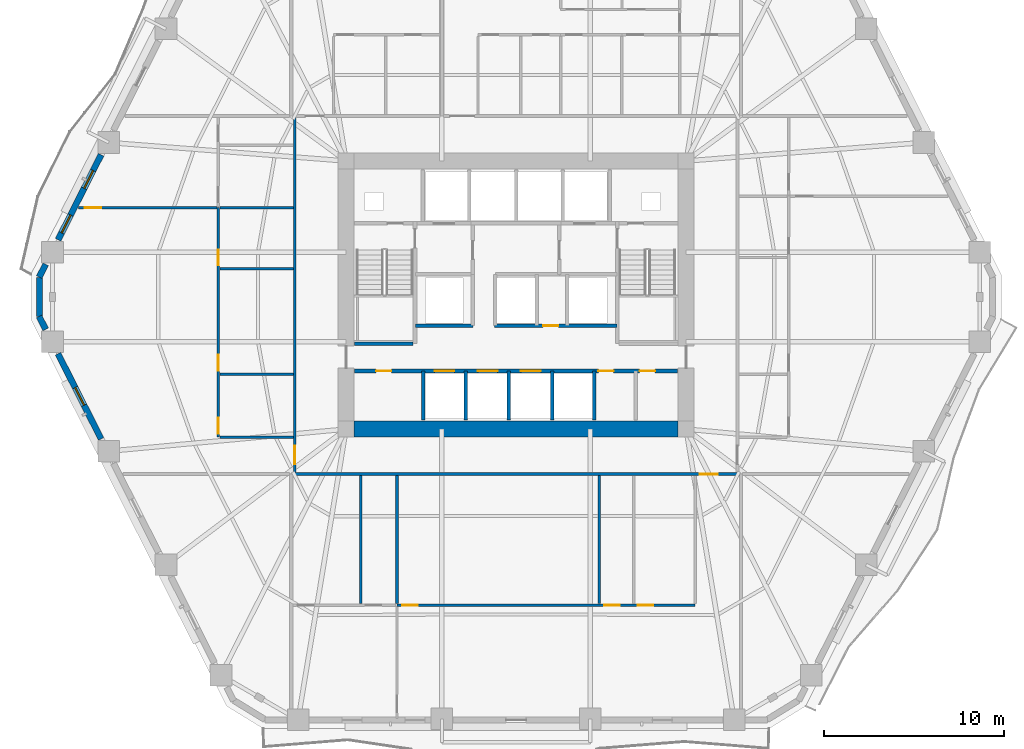
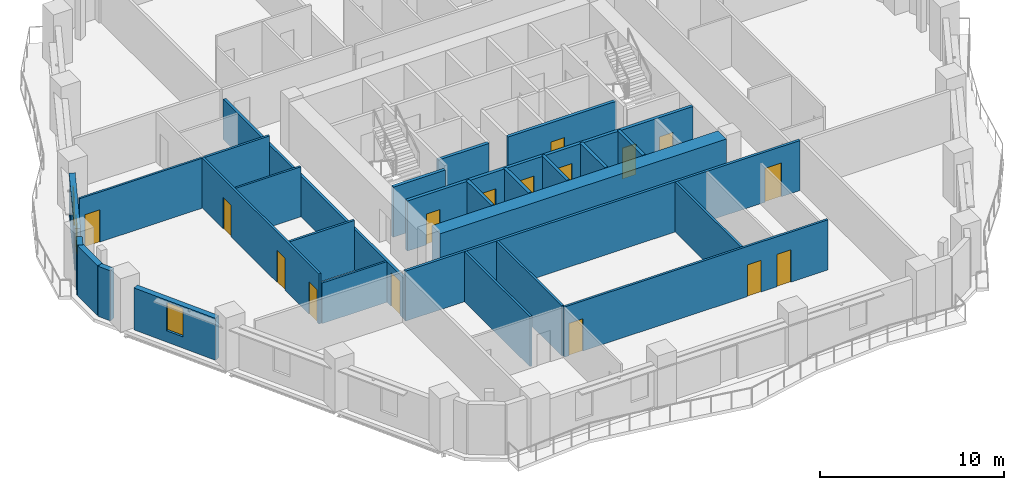
# One storey, part 4 of 13: 27 walls, 16 doors, 3 windows, 19 openings.
"""IFC4 building model written with IfcOpenShell, lengths in metres."""

from ifc_helpers import new_model, si_unit, direction, frame, frame_2d, origin, place, context, subcontext, project, spatial, rectangle, extrude, material, layer, layer_set, type_object, element, fill, save


model = new_model("IFC4")

# Units and contexts
model_context = context("Model", 3, precision=1e-05, world=origin(), true_north=direction((0.0, 1.0)))
body_context = subcontext(model_context, "Body", "Model", "MODEL_VIEW")
ifc_project = project(units=[si_unit("LENGTHUNIT", "METRE"), si_unit("AREAUNIT", "SQUARE_METRE"), si_unit("VOLUMEUNIT", "CUBIC_METRE"), si_unit("PLANEANGLEUNIT", "RADIAN"), si_unit("MASSUNIT", "GRAM", prefix="KILO")], contexts=[model_context])

# Site, building, storey
site_placement = place(None, origin())
site = spatial("IfcSite", under=ifc_project, at=site_placement, CompositionType="ELEMENT")
building_placement = place(site_placement, origin())
building = spatial("IfcBuilding", under=site, at=building_placement, Name="Cinnabar Lancet Tower", CompositionType="ELEMENT")
storey_placement = place(building_placement, frame((0.0, 0.0, 49.75)))
storey = spatial("IfcBuildingStorey", under=building, at=storey_placement, Name="L12", CompositionType="ELEMENT", Elevation=49.75)

# Wall, opening, door
ifc_material_1 = material(Name="Acoustic twin-stud gypsum partition", Category="gypsum")
ifc_layer_1 = layer(ifc_material_1, 0.159912109375)
ifc_layer_set_1 = layer_set([ifc_layer_1], Name="Acoustic twin-stud gypsum partition")
wall_type_1 = type_object("IfcWallType", Name="ARC-WL-CORR-160", PredefinedType="PARTITIONING", material=ifc_layer_set_1)
wall_1_placement = place(storey_placement, frame((19.9951171875, 15.949951171875, 0.0), z_axis=(0.0, 0.0, 1.0), x_axis=(1.0, 0.0, 0.0)))
wall_1 = element("IfcWall", 1, at=wall_1_placement, inside=storey, type_object=wall_type_1, Name="L12 Unit S01 Corridor Wall", PredefinedType="PARTITIONING", context=body_context, shape_type="SweptSolid", body=[
    extrude(rectangle(XDim=24.809814453125, YDim=0.159912109375, at=frame_2d((12.40478515625, 0.0))), origin(), (0.0, 0.0, 1.0), 3.330078125),
])
opening_1_placement = place(wall_1_placement, frame((22.60498046875, 0.0, 0.0)))
opening_1 = element("IfcOpeningElement", 2, at=opening_1_placement, cuts=wall_1, Name="Opening UD-01", PredefinedType="OPENING", context=body_context, shape_type="SweptSolid", body=[
    extrude(rectangle(XDim=1.02001953125, YDim=2.25, at=frame_2d((0.510009765625, 1.125))), frame((0.0, 0.08984375, 0.0), z_axis=(0.0, -1.0, 0.0), x_axis=(1.0, 0.0, 0.0)), (0.0, 0.0, 1.0), 0.179931640625),
])
ifc_material_2 = material(Name="Solid timber fire-rated apartment entrance door", Category="wood")
door_type_1 = type_object("IfcDoorType", Name="ARC-DR-UNIT", OperationType="NOTDEFINED", PredefinedType="DOOR", material=ifc_material_2)
door_1_placement = place(opening_1_placement, origin())
door_1 = element("IfcDoor", 3, at=door_1_placement, inside=storey, type_object=door_type_1, Name="DR-L12-S01-ENT", OperationType="SINGLE_SWING_RIGHT", OverallHeight=2.25, OverallWidth=1.02001953125, PredefinedType="DOOR", context=body_context, shape_type="SweptSolid", body=[
    extrude(rectangle(XDim=1.02001953125, YDim=2.25, at=frame_2d((0.510009765625, 1.125))), frame((0.0, 0.02490234375, 0.0), z_axis=(0.0, -1.0, 0.0), x_axis=(1.0, 0.0, 0.0)), (0.0, 0.0, 1.0), 0.050048828125),
])
fill(opening_1, door_1)

wall_2_placement = place(storey_placement, frame((20.10009765625, 16.044921875, 0.0), z_axis=(0.0, 0.0, 1.0), x_axis=(0.0, 1.0, 0.0)))
wall_2 = element("IfcWall", 4, at=wall_2_placement, inside=storey, type_object=wall_type_1, Name="UW-L12-W01-COR", PredefinedType="PARTITIONING", context=body_context, shape_type="SweptSolid", body=[
    extrude(rectangle(XDim=19.7099609375, YDim=0.159912109375, at=frame_2d((9.85498046875, 0.0))), origin(), (0.0, 0.0, 1.0), 2.699951171875),
])
opening_2_placement = place(wall_2_placement, frame((0.449951171875, 0.0, 0.0)))
opening_2 = element("IfcOpeningElement", 5, at=opening_2_placement, cuts=wall_2, Name="Opening UD-01", PredefinedType="OPENING", context=body_context, shape_type="SweptSolid", body=[
    extrude(rectangle(XDim=1.02001953125, YDim=2.25, at=frame_2d((0.510009765625, 1.125))), frame((0.0, 0.08984375, 0.0), z_axis=(0.0, -1.0, 0.0), x_axis=(1.0, 0.0, 0.0)), (0.0, 0.0, 1.0), 0.179931640625),
])
door_2_placement = place(opening_2_placement, origin())
door_2 = element("IfcDoor", 6, at=door_2_placement, inside=storey, type_object=door_type_1, Name="DR-L12-W01-ENT", OperationType="SINGLE_SWING_RIGHT", OverallHeight=2.25, OverallWidth=1.02001953125, PredefinedType="DOOR", context=body_context, shape_type="SweptSolid", body=[
    extrude(rectangle(XDim=1.02001953125, YDim=2.25, at=frame_2d((0.510009765625, 1.125))), frame((0.0, 0.02490234375, 0.0), z_axis=(0.0, -1.0, 0.0), x_axis=(1.0, 0.0, 0.0)), (0.0, 0.0, 1.0), 0.050048828125),
])
fill(opening_2, door_2)

# Walls
ifc_material_3 = material(Name="Autoclaved aerated concrete blockwork", Category="masonry")
ifc_layer_2 = layer(ifc_material_3, 0.199951171875)
ifc_layer_set_2 = layer_set([ifc_layer_2], Name="Autoclaved aerated concrete blockwork")
wall_type_2 = type_object("IfcWallType", Name="ARC-WL-SHAFT-200", PredefinedType="PLUMBINGWALL", material=ifc_layer_set_2)
wall_3_placement = place(storey_placement, frame((23.405029296875, 23.199951171875, 0.0), z_axis=(0.0, 0.0, 1.0), x_axis=(1.0, 0.0, 0.0)))
element("IfcWall", 7, at=wall_3_placement, inside=storey, type_object=wall_type_2, Name="CW-ST1S-L12", PredefinedType="PLUMBINGWALL", context=body_context, shape_type="SweptSolid", body=[
    extrude(rectangle(XDim=3.27001953125, YDim=0.199951171875, at=frame_2d((1.635009765625, 0.0))), origin(), (0.0, 0.0, 1.0), 3.330078125),
])
wall_4_placement = place(storey_placement, frame((26.800048828125, 24.199951171875, 0.0), z_axis=(0.0, 0.0, 1.0), x_axis=(1.0, 0.0, 0.0)))
element("IfcWall", 8, at=wall_4_placement, inside=storey, type_object=wall_type_2, Name="CW-PL5S-L12", PredefinedType="PLUMBINGWALL", context=body_context, shape_type="SweptSolid", body=[
    extrude(rectangle(XDim=3.199951171875, YDim=0.199951171875, at=frame_2d((1.60009765625, 0.0))), origin(), (0.0, 0.0, 1.0), 3.330078125),
])

# Wall, opening, door
wall_5_placement = place(storey_placement, frame((31.199951171875, 24.199951171875, 0.0), z_axis=(0.0, 0.0, 1.0), x_axis=(1.0, 0.0, 0.0)))
wall_5 = element("IfcWall", 9, at=wall_5_placement, inside=storey, type_object=wall_type_2, Name="CW-PL96S-L12", PredefinedType="PLUMBINGWALL", context=body_context, shape_type="SweptSolid", body=[
    extrude(rectangle(XDim=6.800048828125, YDim=0.199951171875, at=frame_2d((3.39990234375, 0.0))), origin(), (0.0, 0.0, 1.0), 3.330078125),
])
opening_3_placement = place(wall_5_placement, frame((2.699951171875, 0.0, 0.0)))
opening_3 = element("IfcOpeningElement", 10, at=opening_3_placement, cuts=wall_5, Name="Opening PD-02", PredefinedType="OPENING", context=body_context, shape_type="SweptSolid", body=[
    extrude(rectangle(XDim=0.85009765625, YDim=2.050048828125, at=frame_2d((0.425048828125, 1.02490234375))), frame((0.0, 0.10986328125, 0.0), z_axis=(0.0, -1.0, 0.0), x_axis=(1.0, 0.0, 0.0)), (0.0, 0.0, 1.0), 0.219970703125),
])
ifc_material_4 = material(Name="Fire-rated steel riser access door", Category="steel")
door_type_2 = type_object("IfcDoorType", Name="ARC-DR-RISER", OperationType="NOTDEFINED", PredefinedType="DOOR", material=ifc_material_4)
door_3_placement = place(opening_3_placement, origin())
door_3 = element("IfcDoor", 11, at=door_3_placement, inside=storey, type_object=door_type_2, Name="L12 BMS Closet Door", OperationType="SINGLE_SWING_LEFT", OverallHeight=2.050048828125, OverallWidth=0.85009765625, PredefinedType="DOOR", context=body_context, shape_type="SweptSolid", body=[
    extrude(rectangle(XDim=0.85009765625, YDim=2.050048828125, at=frame_2d((0.425048828125, 1.02490234375))), frame((0.0, 0.02490234375, 0.0), z_axis=(0.0, -1.0, 0.0), x_axis=(1.0, 0.0, 0.0)), (0.0, 0.0, 1.0), 0.050048828125),
])
fill(opening_3, door_3)

# Wall, openings, doors
wall_6_placement = place(storey_placement, frame((23.419921875, 21.679931640625, 0.0), z_axis=(0.0, 0.0, 1.0), x_axis=(1.0, 0.0, 0.0)))
wall_6 = element("IfcWall", 12, at=wall_6_placement, inside=storey, type_object=wall_type_2, Name="CW-SBANDN-L12", PredefinedType="PLUMBINGWALL", context=body_context, shape_type="SweptSolid", body=[
    extrude(rectangle(XDim=17.9599609375, YDim=0.199951171875, at=frame_2d((8.97998046875, 0.0))), origin(), (0.0, 0.0, 1.0), 3.330078125),
])
opening_4_placement = place(wall_6_placement, frame((4.449951171875, 0.0, 0.0)))
opening_4 = element("IfcOpeningElement", 13, at=opening_4_placement, cuts=wall_6, Name="Opening LD-01", PredefinedType="OPENING", context=body_context, shape_type="SweptSolid", body=[
    extrude(rectangle(XDim=1.10009765625, YDim=2.199951171875, at=frame_2d((0.550048828125, 1.10009765625))), frame((0.0, 0.10986328125, 0.0), z_axis=(0.0, -1.0, 0.0), x_axis=(1.0, 0.0, 0.0)), (0.0, 0.0, 1.0), 0.219970703125),
])
opening_5_placement = place(wall_6_placement, frame((6.85009765625, 0.0, 0.0)))
opening_5 = element("IfcOpeningElement", 14, at=opening_5_placement, cuts=wall_6, Name="Opening LD-01", PredefinedType="OPENING", context=body_context, shape_type="SweptSolid", body=[
    extrude(rectangle(XDim=1.10009765625, YDim=2.199951171875, at=frame_2d((0.550048828125, 1.10009765625))), frame((0.0, 0.10986328125, 0.0), z_axis=(0.0, -1.0, 0.0), x_axis=(1.0, 0.0, 0.0)), (0.0, 0.0, 1.0), 0.219970703125),
])
opening_6_placement = place(wall_6_placement, frame((9.25, 0.0, 0.0)))
opening_6 = element("IfcOpeningElement", 15, at=opening_6_placement, cuts=wall_6, Name="Opening LD-01", PredefinedType="OPENING", context=body_context, shape_type="SweptSolid", body=[
    extrude(rectangle(XDim=1.10009765625, YDim=2.199951171875, at=frame_2d((0.550048828125, 1.10009765625))), frame((0.0, 0.10986328125, 0.0), z_axis=(0.0, -1.0, 0.0), x_axis=(1.0, 0.0, 0.0)), (0.0, 0.0, 1.0), 0.219970703125),
])
opening_7_placement = place(wall_6_placement, frame((1.199951171875, 0.0, 0.0)))
opening_7 = element("IfcOpeningElement", 16, at=opening_7_placement, cuts=wall_6, Name="Opening PD-02", PredefinedType="OPENING", context=body_context, shape_type="SweptSolid", body=[
    extrude(rectangle(XDim=0.85009765625, YDim=2.050048828125, at=frame_2d((0.425048828125, 1.02490234375))), frame((0.0, 0.10986328125, 0.0), z_axis=(0.0, -1.0, 0.0), x_axis=(1.0, 0.0, 0.0)), (0.0, 0.0, 1.0), 0.219970703125),
])
opening_8_placement = place(wall_6_placement, frame((13.550048828125, 0.0, 0.0)))
opening_8 = element("IfcOpeningElement", 17, at=opening_8_placement, cuts=wall_6, Name="Opening PD-02", PredefinedType="OPENING", context=body_context, shape_type="SweptSolid", body=[
    extrude(rectangle(XDim=0.85009765625, YDim=2.050048828125, at=frame_2d((0.425048828125, 1.02490234375))), frame((0.0, 0.10986328125, 0.0), z_axis=(0.0, -1.0, 0.0), x_axis=(1.0, 0.0, 0.0)), (0.0, 0.0, 1.0), 0.219970703125),
])
opening_9_placement = place(wall_6_placement, frame((15.85009765625, 0.0, 0.0)))
opening_9 = element("IfcOpeningElement", 18, at=opening_9_placement, cuts=wall_6, Name="Opening PD-02", PredefinedType="OPENING", context=body_context, shape_type="SweptSolid", body=[
    extrude(rectangle(XDim=0.85009765625, YDim=2.050048828125, at=frame_2d((0.425048828125, 1.02490234375))), frame((0.0, 0.10986328125, 0.0), z_axis=(0.0, -1.0, 0.0), x_axis=(1.0, 0.0, 0.0)), (0.0, 0.0, 1.0), 0.219970703125),
])
ifc_material_5 = material(Name="Brushed stainless steel sliding lift door", Category="steel")
door_type_3 = type_object("IfcDoorType", Name="ARC-DR-LD-PASS", OperationType="NOTDEFINED", PredefinedType="DOOR", material=ifc_material_5)
door_4_placement = place(opening_4_placement, origin())
door_4 = element("IfcDoor", 19, at=door_4_placement, inside=storey, type_object=door_type_3, Name="L12 Lift PL-1 Landing Door", OperationType="DOUBLE_DOOR_SLIDING", OverallHeight=2.199951171875, OverallWidth=1.10009765625, PredefinedType="DOOR", context=body_context, shape_type="SweptSolid", body=[
    extrude(rectangle(XDim=1.10009765625, YDim=2.199951171875, at=frame_2d((0.550048828125, 1.10009765625))), frame((0.0, 0.02490234375, 0.0), z_axis=(0.0, -1.0, 0.0), x_axis=(1.0, 0.0, 0.0)), (0.0, 0.0, 1.0), 0.050048828125),
])
fill(opening_4, door_4)
door_5_placement = place(opening_5_placement, origin())
door_5 = element("IfcDoor", 20, at=door_5_placement, inside=storey, type_object=door_type_3, Name="L12 Lift PL-2 Landing Door", OperationType="DOUBLE_DOOR_SLIDING", OverallHeight=2.199951171875, OverallWidth=1.10009765625, PredefinedType="DOOR", context=body_context, shape_type="SweptSolid", body=[
    extrude(rectangle(XDim=1.10009765625, YDim=2.199951171875, at=frame_2d((0.550048828125, 1.10009765625))), frame((0.0, 0.02490234375, 0.0), z_axis=(0.0, -1.0, 0.0), x_axis=(1.0, 0.0, 0.0)), (0.0, 0.0, 1.0), 0.050048828125),
])
fill(opening_5, door_5)
door_6_placement = place(opening_6_placement, origin())
door_6 = element("IfcDoor", 21, at=door_6_placement, inside=storey, type_object=door_type_3, Name="L12 Lift PL-3 Landing Door", OperationType="DOUBLE_DOOR_SLIDING", OverallHeight=2.199951171875, OverallWidth=1.10009765625, PredefinedType="DOOR", context=body_context, shape_type="SweptSolid", body=[
    extrude(rectangle(XDim=1.10009765625, YDim=2.199951171875, at=frame_2d((0.550048828125, 1.10009765625))), frame((0.0, 0.02490234375, 0.0), z_axis=(0.0, -1.0, 0.0), x_axis=(1.0, 0.0, 0.0)), (0.0, 0.0, 1.0), 0.050048828125),
])
fill(opening_6, door_6)
door_7_placement = place(opening_7_placement, origin())
door_7 = element("IfcDoor", 22, at=door_7_placement, inside=storey, type_object=door_type_2, Name="DR-L12-SW1", OperationType="SINGLE_SWING_LEFT", OverallHeight=2.050048828125, OverallWidth=0.85009765625, PredefinedType="DOOR", context=body_context, shape_type="SweptSolid", body=[
    extrude(rectangle(XDim=0.85009765625, YDim=2.050048828125, at=frame_2d((0.425048828125, 1.02490234375))), frame((0.0, 0.02490234375, 0.0), z_axis=(0.0, -1.0, 0.0), x_axis=(1.0, 0.0, 0.0)), (0.0, 0.0, 1.0), 0.050048828125),
])
fill(opening_7, door_7)
door_8_placement = place(opening_8_placement, origin())
door_8 = element("IfcDoor", 23, at=door_8_placement, inside=storey, type_object=door_type_2, Name="DR-L12-SE1", OperationType="SINGLE_SWING_LEFT", OverallHeight=2.050048828125, OverallWidth=0.85009765625, PredefinedType="DOOR", context=body_context, shape_type="SweptSolid", body=[
    extrude(rectangle(XDim=0.85009765625, YDim=2.050048828125, at=frame_2d((0.425048828125, 1.02490234375))), frame((0.0, 0.02490234375, 0.0), z_axis=(0.0, -1.0, 0.0), x_axis=(1.0, 0.0, 0.0)), (0.0, 0.0, 1.0), 0.050048828125),
])
fill(opening_8, door_8)
door_9_placement = place(opening_9_placement, origin())
door_9 = element("IfcDoor", 24, at=door_9_placement, inside=storey, type_object=door_type_2, Name="DR-L12-SE2", OperationType="SINGLE_SWING_RIGHT", OverallHeight=2.050048828125, OverallWidth=0.85009765625, PredefinedType="DOOR", context=body_context, shape_type="SweptSolid", body=[
    extrude(rectangle(XDim=0.85009765625, YDim=2.050048828125, at=frame_2d((0.425048828125, 1.02490234375))), frame((0.0, 0.02490234375, 0.0), z_axis=(0.0, -1.0, 0.0), x_axis=(1.0, 0.0, 0.0)), (0.0, 0.0, 1.0), 0.050048828125),
])
fill(opening_9, door_9)

# Walls
for number, where, z_axis, x_axis, name in (
    (25, (27.25, 18.949951171875, 0.0), (0.0, 0.0, 1.0), (0.0, 1.0, 0.0), "CW-SB-2725-L12"),
    (26, (29.60009765625, 18.949951171875, 0.0), (0.0, 0.0, 1.0), (0.0, 1.0, 0.0), "CW-SB-2960-L12"),
    (27, (32.0, 18.949951171875, 0.0), (0.0, 0.0, 1.0), (0.0, 1.0, 0.0), "CW-SB-3200-L12"),
    (28, (34.39990234375, 18.949951171875, 0.0), (0.0, 0.0, 1.0), (0.0, 1.0, 0.0), "CW-SB-3440-L12"),
    (29, (36.75, 18.949951171875, 0.0), (0.0, 0.0, 1.0), (0.0, 1.0, 0.0), "CW-SB-3675-L12"),
):
    element("IfcWall", number, at=place(storey_placement, frame(where, z_axis=z_axis, x_axis=x_axis)), inside=storey, type_object=wall_type_2, Name=name, PredefinedType="PLUMBINGWALL", context=body_context, shape_type="SweptSolid", body=[
        extrude(rectangle(XDim=2.72998046875, YDim=0.199951171875, at=frame_2d((1.364990234375, 0.0))), origin(), (0.0, 0.0, 1.0), 3.330078125),
    ])
ifc_material_6 = material(Name="Gypsum plasterboard stud partition", Category="gypsum")
ifc_layer_3 = layer(ifc_material_6, 0.125)
ifc_layer_set_3 = layer_set([ifc_layer_3], Name="Gypsum plasterboard stud partition")
wall_type_3 = type_object("IfcWallType", Name="ARC-WL-UNIT-125", PredefinedType="PARTITIONING", material=ifc_layer_set_3)
wall_7_placement = place(storey_placement, frame((15.93505859375, 18.0, 0.0), z_axis=(0.0, 0.0, 1.0), x_axis=(1.0, 0.0, 0.0)))
element("IfcWall", 30, at=wall_7_placement, inside=storey, type_object=wall_type_3, Name="UW-L12-W01-FOYN", PredefinedType="PARTITIONING", context=body_context, shape_type="SweptSolid", body=[
    extrude(rectangle(XDim=4.079833984375, YDim=0.125, at=frame_2d((2.0400390625, 0.0))), origin(), (0.0, 0.0, 1.0), 2.699951171875),
])

# Wall, opening, door
wall_8_placement = place(storey_placement, frame((8.071044921875, 30.7548828125, 0.0), z_axis=(0.0, 0.0, 1.0), x_axis=(1.0, 0.0, 0.0)))
wall_8 = element("IfcWall", 31, at=wall_8_placement, inside=storey, type_object=wall_type_3, Name="UW-L12-W01-MBN", PredefinedType="PARTITIONING", context=body_context, shape_type="SweptSolid", body=[
    extrude(rectangle(XDim=7.703857421875, YDim=0.125, at=frame_2d((3.85205078125, 0.0))), origin(), (0.0, 0.0, 1.0), 3.330078125),
])
opening_10_placement = place(wall_8_placement, frame((0.35009765625, 0.0, 0.0)))
opening_10 = element("IfcOpeningElement", 32, at=opening_10_placement, cuts=wall_8, Name="Opening RD-01", PredefinedType="OPENING", context=body_context, shape_type="SweptSolid", body=[
    extrude(rectangle(XDim=0.919921875, YDim=2.14990234375, at=frame_2d((0.4599609375, 1.074951171875))), frame((0.0, 0.072509765625, 0.0), z_axis=(0.0, -1.0, 0.0), x_axis=(1.0, 0.0, 0.0)), (0.0, 0.0, 1.0), 0.14501953125),
])
ifc_material_7 = material(Name="Engineered timber bedroom door", Category="wood")
door_type_4 = type_object("IfcDoorType", Name="ARC-DR-ROOM", OperationType="NOTDEFINED", PredefinedType="DOOR", material=ifc_material_7)
door_10_placement = place(opening_10_placement, origin())
door_10 = element("IfcDoor", 33, at=door_10_placement, inside=storey, type_object=door_type_4, Name="DR-L12-W01-MBD", OperationType="SINGLE_SWING_RIGHT", OverallHeight=2.14990234375, OverallWidth=0.919921875, PredefinedType="DOOR", context=body_context, shape_type="SweptSolid", body=[
    extrude(rectangle(XDim=0.919921875, YDim=2.14990234375, at=frame_2d((0.4599609375, 1.074951171875))), frame((0.0, 0.02490234375, 0.0), z_axis=(0.0, -1.0, 0.0), x_axis=(1.0, 0.0, 0.0)), (0.0, 0.0, 1.0), 0.050048828125),
])
fill(opening_10, door_10)

# Wall
wall_9_placement = place(storey_placement, frame((15.93505859375, 27.364013671875, 0.0), z_axis=(0.0, 0.0, 1.0), x_axis=(1.0, 0.0, 0.0)))
element("IfcWall", 34, at=wall_9_placement, inside=storey, type_object=wall_type_3, Name="UW-L12-W01-UDV", PredefinedType="PARTITIONING", context=body_context, shape_type="SweptSolid", body=[
    extrude(rectangle(XDim=4.079833984375, YDim=0.125, at=frame_2d((2.0400390625, 0.0))), origin(), (0.0, 0.0, 1.0), 3.330078125),
])

# Wall, openings, doors
ifc_material_8 = material(Name="Moisture-resistant cement-board plumbing wall", Category="masonry")
ifc_layer_4 = layer(ifc_material_8, 0.139892578125)
ifc_layer_set_4 = layer_set([ifc_layer_4], Name="Moisture-resistant cement-board plumbing wall")
wall_type_4 = type_object("IfcWallType", Name="ARC-WL-WET-140", PredefinedType="PLUMBINGWALL", material=ifc_layer_set_4)
wall_10_placement = place(storey_placement, frame((25.780029296875, 8.6630859375, 0.0), z_axis=(0.0, 0.0, 1.0), x_axis=(1.0, 0.0, 0.0)))
wall_10 = element("IfcWall", 35, at=wall_10_placement, inside=storey, type_object=wall_type_4, Name="UW-L12-S01-SPL", PredefinedType="PLUMBINGWALL", context=body_context, shape_type="SweptSolid", body=[
    extrude(rectangle(XDim=16.570068359375, YDim=0.139892578125, at=frame_2d((8.28515625, 0.0))), origin(), (0.0, 0.0, 1.0), 3.330078125),
])
opening_11_placement = place(wall_10_placement, frame((0.280029296875, 0.0, 0.0)))
opening_11 = element("IfcOpeningElement", 36, at=opening_11_placement, cuts=wall_10, Name="Opening RD-02", PredefinedType="OPENING", context=body_context, shape_type="SweptSolid", body=[
    extrude(rectangle(XDim=0.8798828125, YDim=2.14990234375, at=frame_2d((0.43994140625, 1.074951171875))), frame((0.0, 0.079833984375, 0.0), z_axis=(0.0, -1.0, 0.0), x_axis=(1.0, 0.0, 0.0)), (0.0, 0.0, 1.0), 0.159912109375),
])
opening_12_placement = place(wall_10_placement, frame((11.513916015625, 0.0, 0.0)))
opening_12 = element("IfcOpeningElement", 37, at=opening_12_placement, cuts=wall_10, Name="Opening BD-01", PredefinedType="OPENING", context=body_context, shape_type="SweptSolid", body=[
    extrude(rectangle(XDim=0.860107421875, YDim=2.10009765625, at=frame_2d((0.43017578125, 1.050048828125))), frame((0.0, 0.079833984375, 0.0), z_axis=(0.0, -1.0, 0.0), x_axis=(1.0, 0.0, 0.0)), (0.0, 0.0, 1.0), 0.159912109375),
])
opening_13_placement = place(wall_10_placement, frame((13.3701171875, 0.0, 0.0)))
opening_13 = element("IfcOpeningElement", 38, at=opening_13_placement, cuts=wall_10, Name="Opening RD-02", PredefinedType="OPENING", context=body_context, shape_type="SweptSolid", body=[
    extrude(rectangle(XDim=0.8798828125, YDim=2.14990234375, at=frame_2d((0.43994140625, 1.074951171875))), frame((0.0, 0.079833984375, 0.0), z_axis=(0.0, -1.0, 0.0), x_axis=(1.0, 0.0, 0.0)), (0.0, 0.0, 1.0), 0.159912109375),
])
ifc_material_9 = material(Name="Moisture-resistant timber bathroom door", Category="wood")
door_type_5 = type_object("IfcDoorType", Name="ARC-DR-BATH", OperationType="NOTDEFINED", PredefinedType="DOOR", material=ifc_material_9)
door_11_placement = place(opening_12_placement, origin())
door_11 = element("IfcDoor", 39, at=door_11_placement, inside=storey, type_object=door_type_5, Name="DR-L12-S01-BTH", OperationType="SINGLE_SWING_RIGHT", OverallHeight=2.10009765625, OverallWidth=0.860107421875, PredefinedType="DOOR", context=body_context, shape_type="SweptSolid", body=[
    extrude(rectangle(XDim=0.860107421875, YDim=2.10009765625, at=frame_2d((0.43017578125, 1.050048828125))), frame((0.0, 0.02490234375, 0.0), z_axis=(0.0, -1.0, 0.0), x_axis=(1.0, 0.0, 0.0)), (0.0, 0.0, 1.0), 0.050048828125),
])
fill(opening_12, door_11)
ifc_material_10 = material(Name="Engineered timber study door", Category="wood")
door_type_6 = type_object("IfcDoorType", Name="ARC-DR-STUDY", OperationType="NOTDEFINED", PredefinedType="DOOR", material=ifc_material_10)
door_12_placement = place(opening_11_placement, origin())
door_12 = element("IfcDoor", 40, at=door_12_placement, inside=storey, type_object=door_type_6, Name="DR-L12-S01-BTH-WDR", OperationType="SINGLE_SWING_LEFT", OverallHeight=2.14990234375, OverallWidth=0.8798828125, PredefinedType="DOOR", context=body_context, shape_type="SweptSolid", body=[
    extrude(rectangle(XDim=0.8798828125, YDim=2.14990234375, at=frame_2d((0.43994140625, 1.074951171875))), frame((0.0, 0.02490234375, 0.0), z_axis=(0.0, -1.0, 0.0), x_axis=(1.0, 0.0, 0.0)), (0.0, 0.0, 1.0), 0.050048828125),
])
fill(opening_11, door_12)
door_13_placement = place(opening_13_placement, origin())
door_13 = element("IfcDoor", 41, at=door_13_placement, inside=storey, type_object=door_type_6, Name="DR-L12-S01-KIT", OperationType="SINGLE_SWING_RIGHT", OverallHeight=2.14990234375, OverallWidth=0.8798828125, PredefinedType="DOOR", context=body_context, shape_type="SweptSolid", body=[
    extrude(rectangle(XDim=0.8798828125, YDim=2.14990234375, at=frame_2d((0.43994140625, 1.074951171875))), frame((0.0, 0.02490234375, 0.0), z_axis=(0.0, -1.0, 0.0), x_axis=(1.0, 0.0, 0.0)), (0.0, 0.0, 1.0), 0.050048828125),
])
fill(opening_13, door_13)

# Walls
wall_11_placement = place(storey_placement, frame((25.780029296875, 8.76806640625, 0.0), z_axis=(0.0, 0.0, 1.0), x_axis=(0.0, 1.0, 0.0)))
element("IfcWall", 42, at=wall_11_placement, inside=storey, type_object=wall_type_4, Name="UW-L12-S01-ENSW", PredefinedType="PLUMBINGWALL", context=body_context, shape_type="SweptSolid", body=[
    extrude(rectangle(XDim=7.096923828125, YDim=0.139892578125, at=frame_2d((3.54833984375, 0.0))), origin(), (0.0, 0.0, 1.0), 3.330078125),
])
for number, where, z_axis, x_axis, name in (
    (43, (37.013916015625, 8.748046875, 0.0), (0.0, 0.0, 1.0), (0.0, 1.0, 0.0), "UW-L12-S01-BTH-WDV"),
    (44, (23.76904296875, 8.748046875, 0.0), (0.0, 0.0, 1.0), (0.0, 1.0, 0.0), "UW-L12-S01-ENS-WDV"),
):
    element("IfcWall", number, at=place(storey_placement, frame(where, z_axis=z_axis, x_axis=x_axis)), inside=storey, type_object=wall_type_4, Name=name, PredefinedType="PLUMBINGWALL", context=body_context, shape_type="SweptSolid", body=[
        extrude(rectangle(XDim=7.116943359375, YDim=0.139892578125, at=frame_2d((3.55859375, 0.0))), origin(), (0.0, 0.0, 1.0), 3.330078125),
    ])

# Wall, openings, doors
wall_12_placement = place(storey_placement, frame((15.85009765625, 18.0, 0.0), z_axis=(0.0, 0.0, 1.0), x_axis=(0.0, 1.0, 0.0)))
wall_12 = element("IfcWall", 45, at=wall_12_placement, inside=storey, type_object=wall_type_4, Name="UW-L12-W01-SPL", PredefinedType="PLUMBINGWALL", context=body_context, shape_type="SweptSolid", body=[
    extrude(rectangle(XDim=12.7548828125, YDim=0.139892578125, at=frame_2d((6.37744140625, 0.0))), origin(), (0.0, 0.0, 1.0), 3.330078125),
])
opening_14_placement = place(wall_12_placement, frame((0.199951171875, 0.0, 0.0)))
opening_14 = element("IfcOpeningElement", 46, at=opening_14_placement, cuts=wall_12, Name="Opening RD-02", PredefinedType="OPENING", context=body_context, shape_type="SweptSolid", body=[
    extrude(rectangle(XDim=0.8798828125, YDim=2.14990234375, at=frame_2d((0.43994140625, 1.074951171875))), frame((0.0, 0.079833984375, 0.0), z_axis=(0.0, -1.0, 0.0), x_axis=(1.0, 0.0, 0.0)), (0.0, 0.0, 1.0), 0.159912109375),
])
opening_15_placement = place(wall_12_placement, frame((3.699951171875, 0.0, 0.0)))
opening_15 = element("IfcOpeningElement", 47, at=opening_15_placement, cuts=wall_12, Name="Opening RD-02", PredefinedType="OPENING", context=body_context, shape_type="SweptSolid", body=[
    extrude(rectangle(XDim=0.8798828125, YDim=2.14990234375, at=frame_2d((0.43994140625, 1.074951171875))), frame((0.0, 0.079833984375, 0.0), z_axis=(0.0, -1.0, 0.0), x_axis=(1.0, 0.0, 0.0)), (0.0, 0.0, 1.0), 0.159912109375),
])
opening_16_placement = place(wall_12_placement, frame((9.56396484375, 0.0, 0.0)))
opening_16 = element("IfcOpeningElement", 48, at=opening_16_placement, cuts=wall_12, Name="Opening BD-01", PredefinedType="OPENING", context=body_context, shape_type="SweptSolid", body=[
    extrude(rectangle(XDim=0.860107421875, YDim=2.10009765625, at=frame_2d((0.43017578125, 1.050048828125))), frame((0.0, 0.079833984375, 0.0), z_axis=(0.0, -1.0, 0.0), x_axis=(1.0, 0.0, 0.0)), (0.0, 0.0, 1.0), 0.159912109375),
])
door_14_placement = place(opening_16_placement, origin())
door_14 = element("IfcDoor", 49, at=door_14_placement, inside=storey, type_object=door_type_5, Name="DR-L12-W01-BTH", OperationType="SINGLE_SWING_LEFT", OverallHeight=2.10009765625, OverallWidth=0.860107421875, PredefinedType="DOOR", context=body_context, shape_type="SweptSolid", body=[
    extrude(rectangle(XDim=0.860107421875, YDim=2.10009765625, at=frame_2d((0.43017578125, 1.050048828125))), frame((0.0, 0.02490234375, 0.0), z_axis=(0.0, -1.0, 0.0), x_axis=(1.0, 0.0, 0.0)), (0.0, 0.0, 1.0), 0.050048828125),
])
fill(opening_16, door_14)
door_15_placement = place(opening_14_placement, origin())
door_15 = element("IfcDoor", 50, at=door_15_placement, inside=storey, type_object=door_type_6, Name="DR-L12-W01-KIT", OperationType="SINGLE_SWING_LEFT", OverallHeight=2.14990234375, OverallWidth=0.8798828125, PredefinedType="DOOR", context=body_context, shape_type="SweptSolid", body=[
    extrude(rectangle(XDim=0.8798828125, YDim=2.14990234375, at=frame_2d((0.43994140625, 1.074951171875))), frame((0.0, 0.02490234375, 0.0), z_axis=(0.0, -1.0, 0.0), x_axis=(1.0, 0.0, 0.0)), (0.0, 0.0, 1.0), 0.050048828125),
])
fill(opening_14, door_15)
door_16_placement = place(opening_15_placement, origin())
door_16 = element("IfcDoor", 51, at=door_16_placement, inside=storey, type_object=door_type_6, Name="DR-L12-W01-UTL", OperationType="SINGLE_SWING_RIGHT", OverallHeight=2.14990234375, OverallWidth=0.8798828125, PredefinedType="DOOR", context=body_context, shape_type="SweptSolid", body=[
    extrude(rectangle(XDim=0.8798828125, YDim=2.14990234375, at=frame_2d((0.43994140625, 1.074951171875))), frame((0.0, 0.02490234375, 0.0), z_axis=(0.0, -1.0, 0.0), x_axis=(1.0, 0.0, 0.0)), (0.0, 0.0, 1.0), 0.050048828125),
])
fill(opening_15, door_16)

# Walls
for number, where, z_axis, x_axis, name in (
    (52, (15.93505859375, 30.7548828125, 0.0), (0.0, 0.0, 1.0), (1.0, 0.0, 0.0), "UW-L12-W01-ENSN"),
    (53, (15.93505859375, 21.5, 0.0), (0.0, 0.0, 1.0), (1.0, 0.0, 0.0), "UW-L12-W01-KDV"),
):
    element("IfcWall", number, at=place(storey_placement, frame(where, z_axis=z_axis, x_axis=x_axis)), inside=storey, type_object=wall_type_4, Name=name, PredefinedType="PLUMBINGWALL", context=body_context, shape_type="SweptSolid", body=[
        extrude(rectangle(XDim=4.079833984375, YDim=0.139892578125, at=frame_2d((2.0400390625, 0.0))), origin(), (0.0, 0.0, 1.0), 3.330078125),
    ])
ifc_material_11 = material(Name="Cinnabar red clay brick", Category="masonry")
ifc_layer_5 = layer(ifc_material_11, 0.340087890625)
ifc_layer_set_5 = layer_set([ifc_layer_5], Name="Cinnabar red clay brick")
wall_type_5 = type_object("IfcWallType", Name="ENV-WL-BRK-RED-340", PredefinedType="STANDARD", material=ifc_layer_set_5)
wall_13_placement = place(storey_placement, frame((5.912109375, 26.885986328125, 0.0), z_axis=(0.0, 0.0, 1.0), x_axis=(0.0, -1.0, 0.0)))
element("IfcWall", 54, at=wall_13_placement, inside=storey, type_object=wall_type_5, Name="L12 Chamfered Corner Brick Pier 6.1", PredefinedType="STANDARD", context=body_context, shape_type="SweptSolid", body=[
    extrude(rectangle(XDim=2.171875, YDim=0.340087890625, at=frame_2d((1.0859375, 0.0))), origin(), (0.0, 0.0, 1.0), 3.330078125),
])

# Wall, openings, windows
wall_14_placement = place(storey_placement, frame((9.3349609375, 33.698974609375, 0.0), z_axis=(0.0, 0.0, 1.0), x_axis=(-0.451590635984, -0.892225250422, 0.0)))
wall_14 = element("IfcWall", 55, at=wall_14_placement, inside=storey, type_object=wall_type_5, Name="L12 Face 5 Masonry Bay Wall 4", PredefinedType="STANDARD", context=body_context, shape_type="SweptSolid", body=[
    extrude(rectangle(XDim=5.303466796875, YDim=0.340087890625, at=frame_2d((2.65185546875, 0.0))), origin(), (0.0, 0.0, 1.0), 2.787109375),
])
opening_17_placement = place(wall_14_placement, frame((0.989013671875, 0.0, 0.75)))
opening_17 = element("IfcOpeningElement", 56, at=opening_17_placement, cuts=wall_14, Name="Opening WN-04", PredefinedType="OPENING", context=body_context, shape_type="SweptSolid", body=[
    extrude(rectangle(XDim=1.10009765625, YDim=1.886962890625, at=frame_2d((0.550048828125, 0.943359375))), frame((0.0, 0.179931640625, 0.0), z_axis=(0.0, -1.0, 0.0), x_axis=(1.0, 0.0, 0.0)), (0.0, 0.0, 1.0), 0.360107421875),
])
opening_18_placement = place(wall_14_placement, frame((3.760986328125, 0.0, 0.75)))
opening_18 = element("IfcOpeningElement", 57, at=opening_18_placement, cuts=wall_14, Name="Opening WN-04", PredefinedType="OPENING", context=body_context, shape_type="SweptSolid", body=[
    extrude(rectangle(XDim=1.10009765625, YDim=1.886962890625, at=frame_2d((0.550048828125, 0.943359375))), frame((0.0, 0.179931640625, 0.0), z_axis=(0.0, -1.0, 0.0), x_axis=(1.0, 0.0, 0.0)), (0.0, 0.0, 1.0), 0.360107421875),
])
ifc_material_12 = material(Name="Thermally broken bronze-anodized aluminium tall lancet window", Category="aluminium")
window_type = type_object("IfcWindowType", Name="ENV-WN-LANCET-1100", PartitioningType="SINGLE_PANEL", PredefinedType="WINDOW", material=ifc_material_12)
window_1_placement = place(opening_17_placement, origin())
window_1 = element("IfcWindow", 58, at=window_1_placement, inside=storey, type_object=window_type, Name="L12 Face 5 Gothic Lancet Window 4", OverallHeight=1.886962890625, OverallWidth=1.10009765625, PartitioningType="SINGLE_PANEL", PredefinedType="WINDOW", context=body_context, shape_type="SweptSolid", body=[
    extrude(rectangle(XDim=1.10009765625, YDim=1.886962890625, at=frame_2d((0.550048828125, 0.943359375))), frame((0.0, 0.030029296875, 0.0), z_axis=(0.0, -1.0, 0.0), x_axis=(1.0, 0.0, 0.0)), (0.0, 0.0, 1.0), 0.06005859375),
])
fill(opening_17, window_1)
window_2_placement = place(opening_18_placement, origin())
window_2 = element("IfcWindow", 59, at=window_2_placement, inside=storey, type_object=window_type, Name="L12 Split-Bay Gothic Lancet Window 27", OverallHeight=1.886962890625, OverallWidth=1.10009765625, PartitioningType="SINGLE_PANEL", PredefinedType="WINDOW", context=body_context, shape_type="SweptSolid", body=[
    extrude(rectangle(XDim=1.10009765625, YDim=1.886962890625, at=frame_2d((0.550048828125, 0.943359375))), frame((0.0, 0.030029296875, 0.0), z_axis=(0.0, -1.0, 0.0), x_axis=(1.0, 0.0, 0.0)), (0.0, 0.0, 1.0), 0.06005859375),
])
fill(opening_18, window_2)

# Walls
for number, where, z_axis, x_axis, name in (
    (60, (6.251953125, 27.60498046875, 0.0), (0.0, 0.0, 1.0), (-0.452101093511, -0.891966704113, 0.0), "L12 Face 5 Masonry Bay Wall 5"),
    (61, (5.89111328125, 24.70703125, 0.0), (0.0, 0.0, 1.0), (0.452101093511, -0.891966704113, 0.0), "L12 Face 6 Masonry Bay Wall 1"),
):
    element("IfcWall", number, at=place(storey_placement, frame(where, z_axis=z_axis, x_axis=x_axis)), inside=storey, type_object=wall_type_5, Name=name, PredefinedType="STANDARD", context=body_context, shape_type="SweptSolid", body=[
        extrude(rectangle(XDim=0.798095703125, YDim=0.340087890625, at=frame_2d((0.39892578125, 0.0))), origin(), (0.0, 0.0, 1.0), 3.330078125),
    ])

# Wall, opening, window
wall_15_placement = place(storey_placement, frame((6.93994140625, 22.633056640625, 0.0), z_axis=(0.0, 0.0, 1.0), x_axis=(0.451572088722, -0.892234637686, 0.0)))
wall_15 = element("IfcWall", 62, at=wall_15_placement, inside=storey, type_object=wall_type_5, Name="L12 Face 6 Masonry Bay Wall 2", PredefinedType="STANDARD", context=body_context, shape_type="SweptSolid", body=[
    extrude(rectangle(XDim=5.3037109375, YDim=0.340087890625, at=frame_2d((2.65185546875, 0.0))), origin(), (0.0, 0.0, 1.0), 2.787109375),
])
opening_19_placement = place(wall_15_placement, frame((2.10205078125, 0.0, 0.75)))
opening_19 = element("IfcOpeningElement", 63, at=opening_19_placement, cuts=wall_15, Name="Opening WN-04", PredefinedType="OPENING", context=body_context, shape_type="SweptSolid", body=[
    extrude(rectangle(XDim=1.10009765625, YDim=1.886962890625, at=frame_2d((0.550048828125, 0.943359375))), frame((0.0, 0.179931640625, 0.0), z_axis=(0.0, -1.0, 0.0), x_axis=(1.0, 0.0, 0.0)), (0.0, 0.0, 1.0), 0.360107421875),
])
window_3_placement = place(opening_19_placement, origin())
window_3 = element("IfcWindow", 64, at=window_3_placement, inside=storey, type_object=window_type, Name="L12 Face 6 Gothic Lancet Window 2", OverallHeight=1.886962890625, OverallWidth=1.10009765625, PartitioningType="SINGLE_PANEL", PredefinedType="WINDOW", context=body_context, shape_type="SweptSolid", body=[
    extrude(rectangle(XDim=1.10009765625, YDim=1.886962890625, at=frame_2d((0.550048828125, 0.943359375))), frame((0.0, 0.030029296875, 0.0), z_axis=(0.0, -1.0, 0.0), x_axis=(1.0, 0.0, 0.0)), (0.0, 0.0, 1.0), 0.06005859375),
])
fill(opening_19, window_3)

# Wall
ifc_material_13 = material(Name="Concrete C80/95", Category="concrete")
ifc_layer_6 = layer(ifc_material_13, 0.89990234375)
ifc_layer_set_6 = layer_set([ifc_layer_6], Name="Concrete C80/95")
wall_type_6 = type_object("IfcWallType", Name="STR-WL-CORE-900", PredefinedType="SHEAR", material=ifc_layer_set_6)
wall_16_placement = place(storey_placement, frame((23.39990234375, 18.449951171875, 0.0), z_axis=(0.0, 0.0, 1.0), x_axis=(1.0, 0.0, 0.0)))
element("IfcWall", 65, at=wall_16_placement, inside=storey, type_object=wall_type_6, Name="L12 Core Shear Wall S", PredefinedType="SHEAR", context=body_context, shape_type="SweptSolid", body=[
    extrude(rectangle(XDim=18.0, YDim=0.89990234375, at=frame_2d((9.0, 0.0))), origin(), (0.0, 0.0, 1.0), 3.330078125),
])

save(model, "model.ifc")
